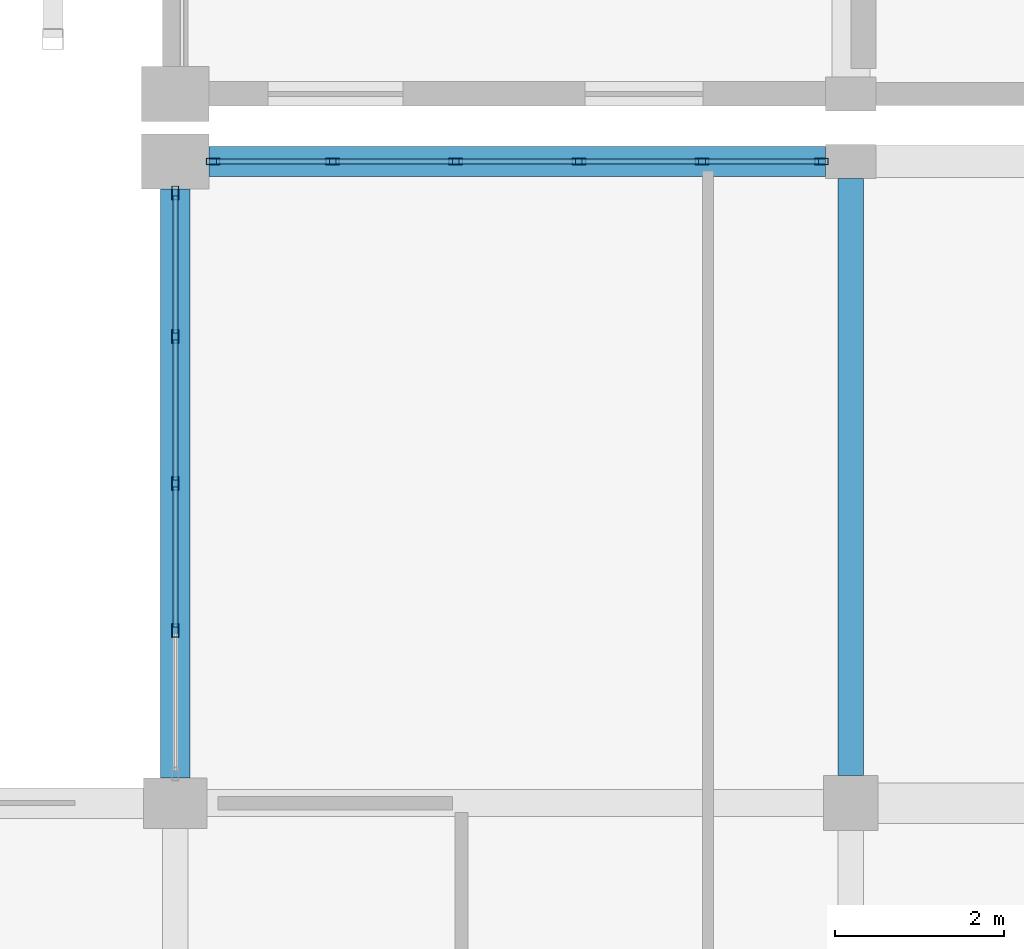
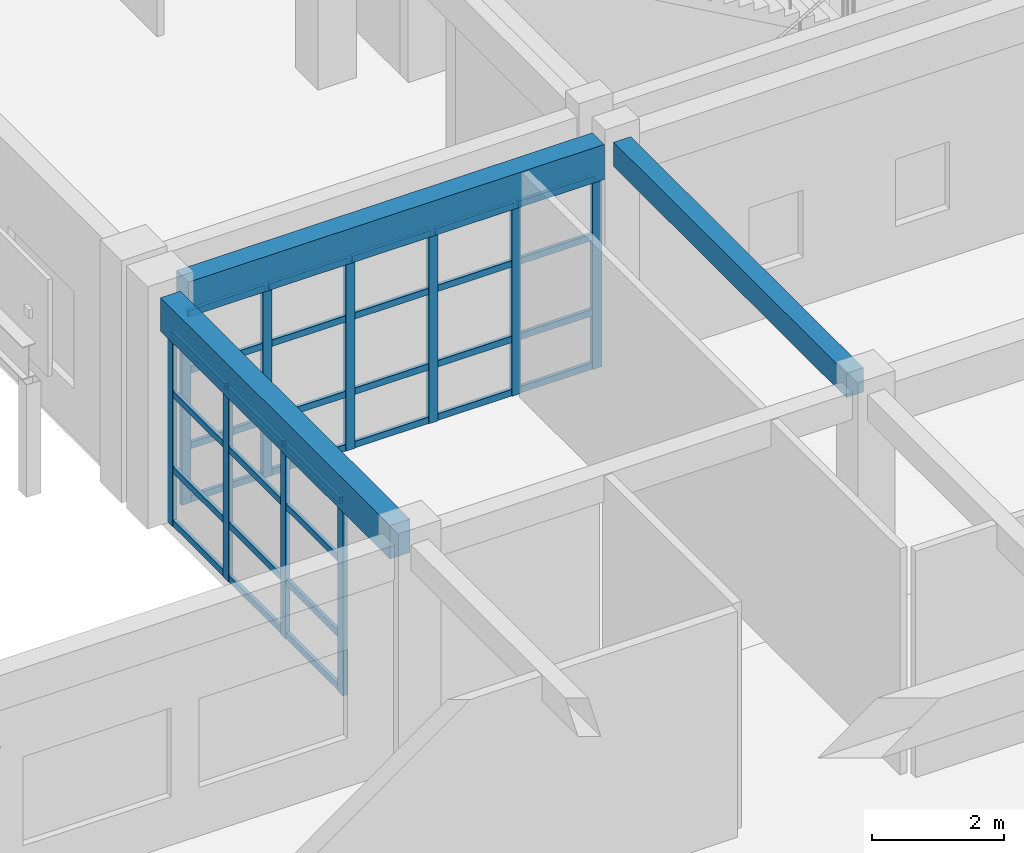
# One storey, part 50 of 160: 42 members, 3 beams, 2 elements without a shape of their own.
"""IFC4 building model written with IfcOpenShell, lengths in metres."""

import ifcopenshell
import ifcopenshell.guid

model = None  # the IFC model being written
_history = None  # IfcOwnerHistory: only IFC2X3 demands one
_inside = {}  # id of a spatial element -> (the spatial element, [elements in it])
_under = {}  # id of a project, library or spatial element -> (it, [spatial elements below it])
_declared = {}  # id of a project -> (the project, [libraries it declares])
_typed = {}  # id of a type object -> (the type object, [elements of that type])
_made_of = {}  # id of a material, layer set ... -> (it, [elements and type objects made of it])


def new_model(schema):
    """Start an empty IFC model of exactly this schema.

    Asked for "IFC4X3", IfcOpenShell would pick the latest addendum, in which some entities
    have other attributes; the version numbers below select the first issue.
    IFC2X3 requires an IfcOwnerHistory on every rooted entity: one is made here for all.
    """
    global model, _history
    if schema == "IFC4X3":
        model = ifcopenshell.file(schema_version=(4, 3, 0, 0))
    else:
        model = ifcopenshell.file(schema=schema)
    _inside.clear()
    _under.clear()
    _declared.clear()
    _typed.clear()
    _made_of.clear()
    _history = None
    if model.schema == "IFC2X3":
        org = make("IfcOrganization", Name="unknown")
        user = make(
            "IfcPersonAndOrganization",
            ThePerson=make("IfcPerson", FamilyName="unknown"),
            TheOrganization=org,
        )
        app = make(
            "IfcApplication",
            ApplicationDeveloper=org,
            Version="unknown",
            ApplicationFullName="unknown",
            ApplicationIdentifier="unknown",
        )
        _history = make(
            "IfcOwnerHistory",
            OwningUser=user,
            OwningApplication=app,
            ChangeAction="ADDED",
            CreationDate=0,
        )
    return model


def make(cls, **values):
    """One entity of the class cls with the attributes given. An attribute that is None is left unset."""
    return model.create_entity(
        cls, **{name: value for name, value in values.items() if value is not None}
    )


def rooted(cls, **values):
    """An entity with a GlobalId (a new one), such as an element, a storey or a relation."""
    return make(cls, GlobalId=ifcopenshell.guid.new(), OwnerHistory=_history, **values)


def si_unit(unit_type, name, prefix=None):
    """IfcSIUnit, for example si_unit("LENGTHUNIT", "METRE", prefix="MILLI")."""
    return make("IfcSIUnit", UnitType=unit_type, Prefix=prefix, Name=name)


def assignment(units):
    """IfcUnitAssignment: the units of a project."""
    return None if units is None else make("IfcUnitAssignment", Units=units)


def point(xyz):
    """IfcCartesianPoint."""
    return None if xyz is None else make("IfcCartesianPoint", Coordinates=xyz)


def direction(xyz):
    """IfcDirection."""
    return None if xyz is None else make("IfcDirection", DirectionRatios=xyz)


def frame(location, z_axis=None, x_axis=None):
    """IfcAxis2Placement3D, a coordinate frame: its origin and axes. An axis left out is left unset."""
    return make(
        "IfcAxis2Placement3D",
        Location=point(location),
        Axis=direction(z_axis),
        RefDirection=direction(x_axis),
    )


def frame_2d(location, x_axis=None):
    """IfcAxis2Placement2D, a coordinate frame in the plane: its origin and x axis."""
    return make(
        "IfcAxis2Placement2D", Location=point(location), RefDirection=direction(x_axis)
    )


def origin():
    """The frame at (0, 0, 0) with its axes left unset."""
    return frame((0.0, 0.0, 0.0))


def origin_2d():
    """The frame at (0, 0) in the plane with its x axis left unset."""
    return frame_2d((0.0, 0.0))


def place(relative_to, where):
    """IfcLocalPlacement: puts the frame where relative to a parent placement (None: the world)."""
    return make(
        "IfcLocalPlacement", PlacementRelTo=relative_to, RelativePlacement=where
    )


def context(
    kind, dimensions, precision=None, world=None, true_north=None, identifier=None
):
    """IfcGeometricRepresentationContext, for example the 3D "Model" context."""
    return make(
        "IfcGeometricRepresentationContext",
        ContextIdentifier=identifier,
        ContextType=kind,
        CoordinateSpaceDimension=dimensions,
        Precision=precision,
        WorldCoordinateSystem=world,
        TrueNorth=true_north,
    )


def subcontext(parent, identifier, kind, view, scale=None):
    """IfcGeometricRepresentationSubContext, for example "Body" below "Model"."""
    return make(
        "IfcGeometricRepresentationSubContext",
        ContextIdentifier=identifier,
        ContextType=kind,
        ParentContext=parent,
        TargetScale=scale,
        TargetView=view,
    )


def project(units=None, contexts=None):
    """IfcProject with its units and contexts."""
    return rooted(
        "IfcProject",
        Name="project",
        RepresentationContexts=contexts,
        UnitsInContext=assignment(units),
    )


def spatial(cls, under=None, at=None, **own):
    """A site, building, storey or space (cls), placed at a placement, below another one or the project."""
    s = rooted(cls, ObjectPlacement=at, **own)
    if under is not None:
        _under.setdefault(under.id(), (under, []))[1].append(s)
    return s


def profile(cls, at=None, kind="AREA", **sizes):
    """A parametric profile (cls). Its sizes go by their IFC names, for example OverallWidth=200.0."""
    return make(cls, ProfileType=kind, Position=at, **sizes)


def rectangle(**sizes):
    """IfcRectangleProfileDef."""
    return profile("IfcRectangleProfileDef", **sizes)


def hollow_rectangle(**sizes):
    """IfcRectangleHollowProfileDef."""
    return profile("IfcRectangleHollowProfileDef", **sizes)


def extrude(swept, where, along, depth):
    """IfcExtrudedAreaSolid: the profile swept, set in the frame where, extruded along a direction by depth."""
    return make(
        "IfcExtrudedAreaSolid",
        SweptArea=swept,
        Position=where,
        ExtrudedDirection=direction(along),
        Depth=depth,
    )


def shape(context_of_items, identifier, shape_type, items):
    """IfcShapeRepresentation: the items that make up one representation, for example the "Body"."""
    return make(
        "IfcShapeRepresentation",
        ContextOfItems=context_of_items,
        RepresentationIdentifier=identifier,
        RepresentationType=shape_type,
        Items=items,
    )


def material(Name=None, Category=None):
    """IfcMaterial."""
    return make("IfcMaterial", Name=Name, Category=Category)


def material_profile(
    of_material, cross_section, Name=None, Category=None, Priority=None
):
    """IfcMaterialProfile: a cross section and its material."""
    return make(
        "IfcMaterialProfile",
        Name=Name,
        Material=of_material,
        Profile=cross_section,
        Priority=Priority,
        Category=Category,
    )


def profile_set(profiles, Name=None, composite=None):
    """IfcMaterialProfileSet."""
    return make(
        "IfcMaterialProfileSet",
        Name=Name,
        MaterialProfiles=profiles,
        CompositeProfile=composite,
    )


def made_of(thing, what):
    """Note that an element or type object is made of a material, layer set ...; save() writes the relation."""
    if what is not None:
        _made_of.setdefault(what.id(), (what, []))[1].append(thing)
    return thing


def type_object(cls, material=None, **own):
    """A type object (cls), such as IfcWallType, which elements share."""
    return made_of(rooted(cls, **own), material)


def element(
    cls,
    number,
    at=None,
    inside=None,
    cuts=None,
    type_object=None,
    material=None,
    context=None,
    identifier="Body",
    shape_type=None,
    held_by="IfcProductDefinitionShape",
    body=None,
    shapes=None,
    **own,
):
    """One element of the class cls, such as IfcWall. Its Tag is "e" and its number.

    at: its placement. inside: the storey or other place that contains it. cuts: it is an
    opening in that element (IfcRelVoidsElement). A single representation is given by context,
    identifier, shape_type and body (its items); several are given by shapes. held_by: the class
    of the entity that holds the representations. save() writes the other relations.
    """
    e = rooted(cls, Tag="e%d" % number, ObjectPlacement=at, **own)
    if body is not None:
        shapes = [shape(context, identifier, shape_type, body)]
    if shapes is not None:
        e.Representation = make(held_by, Representations=shapes)
    if inside is not None:
        _inside.setdefault(inside.id(), (inside, []))[1].append(e)
    if cuts is not None:
        rooted(
            "IfcRelVoidsElement", RelatingBuildingElement=cuts, RelatedOpeningElement=e
        )
    if type_object is not None:
        _typed.setdefault(type_object.id(), (type_object, []))[1].append(e)
    return made_of(e, material)


def aggregate(whole, parts):
    """IfcRelAggregates: a whole, such as a stair, and the parts it consists of."""
    return rooted("IfcRelAggregates", RelatingObject=whole, RelatedObjects=parts)


def save(model, path):
    """Write the relations noted so far, then the file.

    IfcRelAggregates (storeys below a building ...), IfcRelContainedInSpatialStructure (elements
    in a storey), IfcRelDefinesByType, IfcRelAssociatesMaterial and IfcRelDeclares: one each for
    every whole, place, type object, material and project.
    """
    for whole, parts in _under.values():
        aggregate(whole, parts)
    for where, things in _inside.values():
        rooted(
            "IfcRelContainedInSpatialStructure",
            RelatedElements=things,
            RelatingStructure=where,
        )
    for kind, things in _typed.values():
        rooted("IfcRelDefinesByType", RelatedObjects=things, RelatingType=kind)
    for what, things in _made_of.values():
        rooted("IfcRelAssociatesMaterial", RelatedObjects=things, RelatingMaterial=what)
    for by, libraries in _declared.values():
        rooted("IfcRelDeclares", RelatingContext=by, RelatedDefinitions=libraries)
    model.write(path)


model = new_model("IFC4")

# Units and contexts
model_context = context("Model", 3, precision=1e-05, world=origin(), true_north=direction((0.0, 1.0)))
body_context = subcontext(model_context, "Body", "Model", "MODEL_VIEW")
ifc_project = project(units=[si_unit("LENGTHUNIT", "METRE"), si_unit("AREAUNIT", "SQUARE_METRE"), si_unit("VOLUMEUNIT", "CUBIC_METRE"), si_unit("PLANEANGLEUNIT", "RADIAN"), si_unit("MASSUNIT", "GRAM", prefix="KILO")], contexts=[model_context])

# Site, building, storey
site_placement = place(None, origin())
site = spatial("IfcSite", under=ifc_project, at=site_placement, CompositionType="ELEMENT")
building_placement = place(site_placement, origin())
building = spatial("IfcBuilding", under=site, at=building_placement, Name="Kharva Crest Polytechnic", CompositionType="ELEMENT")
storey_placement = place(building_placement, frame((0.0, 0.0, 4.5)))
storey = spatial("IfcBuildingStorey", under=building, at=storey_placement, Name="L01", CompositionType="ELEMENT", Elevation=4.5)

# Beam
ifc_material_1 = material(Name="Concrete C35/45", Category="concrete")
ifc_material_profile_1 = material_profile(ifc_material_1, rectangle(XDim=0.300048828125, YDim=0.449951171875, at=origin_2d()), Name="RECT 300 X 450")
ifc_profile_set_1 = profile_set([ifc_material_profile_1], Name="Concrete C35/45")
beam_type_1 = type_object("IfcBeamType", Name="BM-RC-300X450", PredefinedType="BEAM", material=ifc_profile_set_1)
beam_1_placement = place(storey_placement, frame((40.0, 30.72509765625, 3.9951171875), z_axis=(0.0, 1.0, 0.0), x_axis=(-1.0, 0.0, 0.0)))
element("IfcBeam", 1, at=beam_1_placement, inside=storey, type_object=beam_type_1, Name="L01 Girder 6/E-F", PredefinedType="BEAM", context=body_context, shape_type="SweptSolid", body=[
    extrude(rectangle(XDim=0.300048828125, YDim=0.449951171875, at=origin_2d()), origin(), (0.0, 0.0, 1.0), 7.074951171875),
])

# Curtain wall, members
ifc_material_2 = material(Name="Tempered insulated glass", Category="glass")
curtain_wall_type = type_object("IfcCurtainWallType", Name="CW-SYS-COURT", PredefinedType="USERDEFINED", material=ifc_material_2)
curtain_wall_1_placement = place(storey_placement, origin())
curtain_wall_1 = element("IfcCurtainWall", 2, at=curtain_wall_1_placement, inside=storey, type_object=curtain_wall_type, Name="L01 Glazed Curtain Wall CW-036", ObjectType="CURTAIN WALL", PredefinedType="USERDEFINED")
ifc_material_3 = material(Name="Steel S355", Category="steel")
ifc_material_profile_2 = material_profile(ifc_material_3, hollow_rectangle(XDim=0.080078125, YDim=0.159912109375, WallThickness=0.0048828125, at=origin_2d()), Name="RHS 160X80X5.0")
ifc_profile_set_2 = profile_set([ifc_material_profile_2], Name="Steel S355")
member_type_1 = type_object("IfcMemberType", Name="CWM-RHS160X80", PredefinedType="MULLION", material=ifc_profile_set_2)
member_1_placement = place(storey_placement, frame((39.655029296875, 38.0, 0.0), z_axis=(0.0, 0.0, 1.0), x_axis=(0.0, -1.0, 0.0)))
member_1 = element("IfcMember", 3, at=member_1_placement, type_object=member_type_1, Name="CW-036 mullion 1", PredefinedType="MULLION", context=body_context, shape_type="SweptSolid", body=[
    extrude(hollow_rectangle(XDim=0.080078125, YDim=0.159912109375, WallThickness=0.0048828125, at=origin_2d()), origin(), (0.0, 0.0, 1.0), 3.570068359375),
])
member_2_placement = place(storey_placement, frame((38.237060546875, 38.0, 0.0), z_axis=(0.0, 0.0, 1.0), x_axis=(0.0, -1.0, 0.0)))
member_2 = element("IfcMember", 4, at=member_2_placement, type_object=member_type_1, Name="CW-036 mullion 2", PredefinedType="MULLION", context=body_context, shape_type="SweptSolid", body=[
    extrude(hollow_rectangle(XDim=0.080078125, YDim=0.159912109375, WallThickness=0.0048828125, at=origin_2d()), origin(), (0.0, 0.0, 1.0), 3.570068359375),
])
member_3_placement = place(storey_placement, frame((36.779052734375, 38.0, 0.0), z_axis=(0.0, 0.0, 1.0), x_axis=(0.0, -1.0, 0.0)))
member_3 = element("IfcMember", 5, at=member_3_placement, type_object=member_type_1, Name="CW-036 mullion 3", PredefinedType="MULLION", context=body_context, shape_type="SweptSolid", body=[
    extrude(hollow_rectangle(XDim=0.080078125, YDim=0.159912109375, WallThickness=0.0048828125, at=origin_2d()), origin(), (0.0, 0.0, 1.0), 3.570068359375),
])
member_4_placement = place(storey_placement, frame((35.321044921875, 38.0, 0.0), z_axis=(0.0, 0.0, 1.0), x_axis=(0.0, -1.0, 0.0)))
member_4 = element("IfcMember", 6, at=member_4_placement, type_object=member_type_1, Name="CW-036 mullion 4", PredefinedType="MULLION", context=body_context, shape_type="SweptSolid", body=[
    extrude(hollow_rectangle(XDim=0.080078125, YDim=0.159912109375, WallThickness=0.0048828125, at=origin_2d()), origin(), (0.0, 0.0, 1.0), 3.570068359375),
])
member_5_placement = place(storey_placement, frame((33.863037109375, 38.0, 0.0), z_axis=(0.0, 0.0, 1.0), x_axis=(0.0, -1.0, 0.0)))
member_5 = element("IfcMember", 7, at=member_5_placement, type_object=member_type_1, Name="CW-036 mullion 5", PredefinedType="MULLION", context=body_context, shape_type="SweptSolid", body=[
    extrude(hollow_rectangle(XDim=0.080078125, YDim=0.159912109375, WallThickness=0.0048828125, at=origin_2d()), origin(), (0.0, 0.0, 1.0), 3.570068359375),
])
member_6_placement = place(storey_placement, frame((32.445068359375, 38.0, 0.0), z_axis=(0.0, 0.0, 1.0), x_axis=(0.0, -1.0, 0.0)))
member_6 = element("IfcMember", 8, at=member_6_placement, type_object=member_type_1, Name="CW-036 mullion 6", PredefinedType="MULLION", context=body_context, shape_type="SweptSolid", body=[
    extrude(hollow_rectangle(XDim=0.080078125, YDim=0.159912109375, WallThickness=0.0048828125, at=origin_2d()), origin(), (0.0, 0.0, 1.0), 3.570068359375),
])

curtain_wall_2_placement = place(storey_placement, origin())
curtain_wall_2 = element("IfcCurtainWall", 9, at=curtain_wall_2_placement, inside=storey, type_object=curtain_wall_type, Name="L01 Glazed Curtain Wall CW-037", ObjectType="CURTAIN WALL", PredefinedType="USERDEFINED")
member_7_placement = place(storey_placement, frame((32.0, 37.6298828125, 0.0), z_axis=(0.0, 0.0, 1.0), x_axis=(1.0, 0.0, 0.0)))
member_7 = element("IfcMember", 10, at=member_7_placement, type_object=member_type_1, Name="CW-037 mullion 1", PredefinedType="MULLION", context=body_context, shape_type="SweptSolid", body=[
    extrude(hollow_rectangle(XDim=0.080078125, YDim=0.159912109375, WallThickness=0.0048828125, at=origin_2d()), origin(), (0.0, 0.0, 1.0), 3.60009765625),
])
member_8_placement = place(storey_placement, frame((32.0, 35.9287109375, 0.0), z_axis=(0.0, 0.0, 1.0), x_axis=(1.0, 0.0, 0.0)))
member_8 = element("IfcMember", 11, at=member_8_placement, type_object=member_type_1, Name="CW-037 mullion 2", PredefinedType="MULLION", context=body_context, shape_type="SweptSolid", body=[
    extrude(hollow_rectangle(XDim=0.080078125, YDim=0.159912109375, WallThickness=0.0048828125, at=origin_2d()), origin(), (0.0, 0.0, 1.0), 3.60009765625),
])
member_9_placement = place(storey_placement, frame((32.0, 34.1875, 0.0), z_axis=(0.0, 0.0, 1.0), x_axis=(1.0, 0.0, 0.0)))
member_9 = element("IfcMember", 12, at=member_9_placement, type_object=member_type_1, Name="CW-037 mullion 3", PredefinedType="MULLION", context=body_context, shape_type="SweptSolid", body=[
    extrude(hollow_rectangle(XDim=0.080078125, YDim=0.159912109375, WallThickness=0.0048828125, at=origin_2d()), origin(), (0.0, 0.0, 1.0), 3.60009765625),
])
member_10_placement = place(storey_placement, frame((32.0, 32.4462890625, 0.0), z_axis=(0.0, 0.0, 1.0), x_axis=(1.0, 0.0, 0.0)))
member_10 = element("IfcMember", 13, at=member_10_placement, type_object=member_type_1, Name="CW-037 mullion 4", PredefinedType="MULLION", context=body_context, shape_type="SweptSolid", body=[
    extrude(hollow_rectangle(XDim=0.080078125, YDim=0.159912109375, WallThickness=0.0048828125, at=origin_2d()), origin(), (0.0, 0.0, 1.0), 3.60009765625),
])

# Member
ifc_material_profile_3 = material_profile(ifc_material_3, hollow_rectangle(XDim=0.06005859375, YDim=0.1201171875, WallThickness=0.00390625, at=origin_2d()), Name="RHS 120X60X4.0")
ifc_profile_set_3 = profile_set([ifc_material_profile_3], Name="Steel S355")
member_type_2 = type_object("IfcMemberType", Name="CWT-RHS120X60", PredefinedType="USERDEFINED", material=ifc_profile_set_3)
member_11_placement = place(storey_placement, frame((39.614990234375, 38.0, 0.06005859375), z_axis=(-1.0, 0.0, 0.0), x_axis=(0.0, -1.0, 0.0)))
member_11 = element("IfcMember", 14, at=member_11_placement, type_object=member_type_2, Name="CW-036 transom 1.1", ObjectType="TRANSOM", PredefinedType="USERDEFINED", context=body_context, shape_type="SweptSolid", body=[
    extrude(hollow_rectangle(XDim=0.06005859375, YDim=0.1201171875, WallThickness=0.00390625, at=origin_2d()), origin(), (0.0, 0.0, 1.0), 1.337890625),
])

member_12_placement = place(storey_placement, frame((39.614990234375, 38.0, 1.050048828125), z_axis=(-1.0, 0.0, 0.0), x_axis=(0.0, -1.0, 0.0)))
member_12 = element("IfcMember", 15, at=member_12_placement, type_object=member_type_2, Name="CW-036 transom 1.2", ObjectType="TRANSOM", PredefinedType="USERDEFINED", context=body_context, shape_type="SweptSolid", body=[
    extrude(hollow_rectangle(XDim=0.06005859375, YDim=0.1201171875, WallThickness=0.00390625, at=origin_2d()), origin(), (0.0, 0.0, 1.0), 1.337890625),
])

member_13_placement = place(storey_placement, frame((39.614990234375, 38.0, 2.449951171875), z_axis=(-1.0, 0.0, 0.0), x_axis=(0.0, -1.0, 0.0)))
member_13 = element("IfcMember", 16, at=member_13_placement, type_object=member_type_2, Name="CW-036 transom 1.3", ObjectType="TRANSOM", PredefinedType="USERDEFINED", context=body_context, shape_type="SweptSolid", body=[
    extrude(hollow_rectangle(XDim=0.06005859375, YDim=0.1201171875, WallThickness=0.00390625, at=origin_2d()), origin(), (0.0, 0.0, 1.0), 1.337890625),
])

member_14_placement = place(storey_placement, frame((39.614990234375, 38.0, 3.510009765625), z_axis=(-1.0, 0.0, 0.0), x_axis=(0.0, -1.0, 0.0)))
member_14 = element("IfcMember", 17, at=member_14_placement, type_object=member_type_2, Name="CW-036 transom 1.4", ObjectType="TRANSOM", PredefinedType="USERDEFINED", context=body_context, shape_type="SweptSolid", body=[
    extrude(hollow_rectangle(XDim=0.06005859375, YDim=0.1201171875, WallThickness=0.00390625, at=origin_2d()), origin(), (0.0, 0.0, 1.0), 1.337890625),
])

member_15_placement = place(storey_placement, frame((38.197021484375, 38.0, 0.06005859375), z_axis=(-1.0, 0.0, 0.0), x_axis=(0.0, -1.0, 0.0)))
member_15 = element("IfcMember", 18, at=member_15_placement, type_object=member_type_2, Name="CW-036 transom 2.1", ObjectType="TRANSOM", PredefinedType="USERDEFINED", context=body_context, shape_type="SweptSolid", body=[
    extrude(hollow_rectangle(XDim=0.06005859375, YDim=0.1201171875, WallThickness=0.00390625, at=origin_2d()), origin(), (0.0, 0.0, 1.0), 1.3779296875),
])

member_16_placement = place(storey_placement, frame((38.197021484375, 38.0, 1.050048828125), z_axis=(-1.0, 0.0, 0.0), x_axis=(0.0, -1.0, 0.0)))
member_16 = element("IfcMember", 19, at=member_16_placement, type_object=member_type_2, Name="CW-036 transom 2.2", ObjectType="TRANSOM", PredefinedType="USERDEFINED", context=body_context, shape_type="SweptSolid", body=[
    extrude(hollow_rectangle(XDim=0.06005859375, YDim=0.1201171875, WallThickness=0.00390625, at=origin_2d()), origin(), (0.0, 0.0, 1.0), 1.3779296875),
])

member_17_placement = place(storey_placement, frame((38.197021484375, 38.0, 2.449951171875), z_axis=(-1.0, 0.0, 0.0), x_axis=(0.0, -1.0, 0.0)))
member_17 = element("IfcMember", 20, at=member_17_placement, type_object=member_type_2, Name="CW-036 transom 2.3", ObjectType="TRANSOM", PredefinedType="USERDEFINED", context=body_context, shape_type="SweptSolid", body=[
    extrude(hollow_rectangle(XDim=0.06005859375, YDim=0.1201171875, WallThickness=0.00390625, at=origin_2d()), origin(), (0.0, 0.0, 1.0), 1.3779296875),
])

member_18_placement = place(storey_placement, frame((38.197021484375, 38.0, 3.510009765625), z_axis=(-1.0, 0.0, 0.0), x_axis=(0.0, -1.0, 0.0)))
member_18 = element("IfcMember", 21, at=member_18_placement, type_object=member_type_2, Name="CW-036 transom 2.4", ObjectType="TRANSOM", PredefinedType="USERDEFINED", context=body_context, shape_type="SweptSolid", body=[
    extrude(hollow_rectangle(XDim=0.06005859375, YDim=0.1201171875, WallThickness=0.00390625, at=origin_2d()), origin(), (0.0, 0.0, 1.0), 1.3779296875),
])

member_19_placement = place(storey_placement, frame((36.739013671875, 38.0, 0.06005859375), z_axis=(-1.0, 0.0, 0.0), x_axis=(0.0, -1.0, 0.0)))
member_19 = element("IfcMember", 22, at=member_19_placement, type_object=member_type_2, Name="CW-036 transom 3.1", ObjectType="TRANSOM", PredefinedType="USERDEFINED", context=body_context, shape_type="SweptSolid", body=[
    extrude(hollow_rectangle(XDim=0.06005859375, YDim=0.1201171875, WallThickness=0.00390625, at=origin_2d()), origin(), (0.0, 0.0, 1.0), 1.3779296875),
])

member_20_placement = place(storey_placement, frame((36.739013671875, 38.0, 1.050048828125), z_axis=(-1.0, 0.0, 0.0), x_axis=(0.0, -1.0, 0.0)))
member_20 = element("IfcMember", 23, at=member_20_placement, type_object=member_type_2, Name="CW-036 transom 3.2", ObjectType="TRANSOM", PredefinedType="USERDEFINED", context=body_context, shape_type="SweptSolid", body=[
    extrude(hollow_rectangle(XDim=0.06005859375, YDim=0.1201171875, WallThickness=0.00390625, at=origin_2d()), origin(), (0.0, 0.0, 1.0), 1.3779296875),
])

member_21_placement = place(storey_placement, frame((36.739013671875, 38.0, 2.449951171875), z_axis=(-1.0, 0.0, 0.0), x_axis=(0.0, -1.0, 0.0)))
member_21 = element("IfcMember", 24, at=member_21_placement, type_object=member_type_2, Name="CW-036 transom 3.3", ObjectType="TRANSOM", PredefinedType="USERDEFINED", context=body_context, shape_type="SweptSolid", body=[
    extrude(hollow_rectangle(XDim=0.06005859375, YDim=0.1201171875, WallThickness=0.00390625, at=origin_2d()), origin(), (0.0, 0.0, 1.0), 1.3779296875),
])

member_22_placement = place(storey_placement, frame((36.739013671875, 38.0, 3.510009765625), z_axis=(-1.0, 0.0, 0.0), x_axis=(0.0, -1.0, 0.0)))
member_22 = element("IfcMember", 25, at=member_22_placement, type_object=member_type_2, Name="CW-036 transom 3.4", ObjectType="TRANSOM", PredefinedType="USERDEFINED", context=body_context, shape_type="SweptSolid", body=[
    extrude(hollow_rectangle(XDim=0.06005859375, YDim=0.1201171875, WallThickness=0.00390625, at=origin_2d()), origin(), (0.0, 0.0, 1.0), 1.3779296875),
])

member_23_placement = place(storey_placement, frame((35.281005859375, 38.0, 0.06005859375), z_axis=(-1.0, 0.0, 0.0), x_axis=(0.0, -1.0, 0.0)))
member_23 = element("IfcMember", 26, at=member_23_placement, type_object=member_type_2, Name="CW-036 transom 4.1", ObjectType="TRANSOM", PredefinedType="USERDEFINED", context=body_context, shape_type="SweptSolid", body=[
    extrude(hollow_rectangle(XDim=0.06005859375, YDim=0.1201171875, WallThickness=0.00390625, at=origin_2d()), origin(), (0.0, 0.0, 1.0), 1.3779296875),
])

member_24_placement = place(storey_placement, frame((35.281005859375, 38.0, 1.050048828125), z_axis=(-1.0, 0.0, 0.0), x_axis=(0.0, -1.0, 0.0)))
member_24 = element("IfcMember", 27, at=member_24_placement, type_object=member_type_2, Name="CW-036 transom 4.2", ObjectType="TRANSOM", PredefinedType="USERDEFINED", context=body_context, shape_type="SweptSolid", body=[
    extrude(hollow_rectangle(XDim=0.06005859375, YDim=0.1201171875, WallThickness=0.00390625, at=origin_2d()), origin(), (0.0, 0.0, 1.0), 1.3779296875),
])

member_25_placement = place(storey_placement, frame((35.281005859375, 38.0, 2.449951171875), z_axis=(-1.0, 0.0, 0.0), x_axis=(0.0, -1.0, 0.0)))
member_25 = element("IfcMember", 28, at=member_25_placement, type_object=member_type_2, Name="CW-036 transom 4.3", ObjectType="TRANSOM", PredefinedType="USERDEFINED", context=body_context, shape_type="SweptSolid", body=[
    extrude(hollow_rectangle(XDim=0.06005859375, YDim=0.1201171875, WallThickness=0.00390625, at=origin_2d()), origin(), (0.0, 0.0, 1.0), 1.3779296875),
])

member_26_placement = place(storey_placement, frame((35.281005859375, 38.0, 3.510009765625), z_axis=(-1.0, 0.0, 0.0), x_axis=(0.0, -1.0, 0.0)))
member_26 = element("IfcMember", 29, at=member_26_placement, type_object=member_type_2, Name="CW-036 transom 4.4", ObjectType="TRANSOM", PredefinedType="USERDEFINED", context=body_context, shape_type="SweptSolid", body=[
    extrude(hollow_rectangle(XDim=0.06005859375, YDim=0.1201171875, WallThickness=0.00390625, at=origin_2d()), origin(), (0.0, 0.0, 1.0), 1.3779296875),
])

member_27_placement = place(storey_placement, frame((33.822998046875, 38.0, 0.06005859375), z_axis=(-1.0, 0.0, 0.0), x_axis=(0.0, -1.0, 0.0)))
member_27 = element("IfcMember", 30, at=member_27_placement, type_object=member_type_2, Name="CW-036 transom 5.1", ObjectType="TRANSOM", PredefinedType="USERDEFINED", context=body_context, shape_type="SweptSolid", body=[
    extrude(hollow_rectangle(XDim=0.06005859375, YDim=0.1201171875, WallThickness=0.00390625, at=origin_2d()), origin(), (0.0, 0.0, 1.0), 1.337890625),
])

member_28_placement = place(storey_placement, frame((33.822998046875, 38.0, 1.050048828125), z_axis=(-1.0, 0.0, 0.0), x_axis=(0.0, -1.0, 0.0)))
member_28 = element("IfcMember", 31, at=member_28_placement, type_object=member_type_2, Name="CW-036 transom 5.2", ObjectType="TRANSOM", PredefinedType="USERDEFINED", context=body_context, shape_type="SweptSolid", body=[
    extrude(hollow_rectangle(XDim=0.06005859375, YDim=0.1201171875, WallThickness=0.00390625, at=origin_2d()), origin(), (0.0, 0.0, 1.0), 1.337890625),
])

member_29_placement = place(storey_placement, frame((33.822998046875, 38.0, 2.449951171875), z_axis=(-1.0, 0.0, 0.0), x_axis=(0.0, -1.0, 0.0)))
member_29 = element("IfcMember", 32, at=member_29_placement, type_object=member_type_2, Name="CW-036 transom 5.3", ObjectType="TRANSOM", PredefinedType="USERDEFINED", context=body_context, shape_type="SweptSolid", body=[
    extrude(hollow_rectangle(XDim=0.06005859375, YDim=0.1201171875, WallThickness=0.00390625, at=origin_2d()), origin(), (0.0, 0.0, 1.0), 1.337890625),
])

member_30_placement = place(storey_placement, frame((33.822998046875, 38.0, 3.510009765625), z_axis=(-1.0, 0.0, 0.0), x_axis=(0.0, -1.0, 0.0)))
member_30 = element("IfcMember", 33, at=member_30_placement, type_object=member_type_2, Name="CW-036 transom 5.4", ObjectType="TRANSOM", PredefinedType="USERDEFINED", context=body_context, shape_type="SweptSolid", body=[
    extrude(hollow_rectangle(XDim=0.06005859375, YDim=0.1201171875, WallThickness=0.00390625, at=origin_2d()), origin(), (0.0, 0.0, 1.0), 1.337890625),
])

aggregate(curtain_wall_1, [member_1, member_2, member_3, member_4, member_5, member_6, member_11, member_12, member_13, member_14, member_15, member_16, member_17, member_18, member_19, member_20, member_21, member_22, member_23, member_24, member_25, member_26, member_27, member_28, member_29, member_30])

member_31_placement = place(storey_placement, frame((32.0, 37.590087890625, 0.06005859375), z_axis=(0.0, -1.0, 0.0), x_axis=(1.0, 0.0, 0.0)))
member_31 = element("IfcMember", 34, at=member_31_placement, type_object=member_type_2, Name="CW-037 transom 1.1", ObjectType="TRANSOM", PredefinedType="USERDEFINED", context=body_context, shape_type="SweptSolid", body=[
    extrude(hollow_rectangle(XDim=0.06005859375, YDim=0.1201171875, WallThickness=0.00390625, at=origin_2d()), origin(), (0.0, 0.0, 1.0), 1.621337890625),
])

member_32_placement = place(storey_placement, frame((32.0, 37.590087890625, 1.050048828125), z_axis=(0.0, -1.0, 0.0), x_axis=(1.0, 0.0, 0.0)))
member_32 = element("IfcMember", 35, at=member_32_placement, type_object=member_type_2, Name="CW-037 transom 1.2", ObjectType="TRANSOM", PredefinedType="USERDEFINED", context=body_context, shape_type="SweptSolid", body=[
    extrude(hollow_rectangle(XDim=0.06005859375, YDim=0.1201171875, WallThickness=0.00390625, at=origin_2d()), origin(), (0.0, 0.0, 1.0), 1.621337890625),
])

member_33_placement = place(storey_placement, frame((32.0, 37.590087890625, 2.449951171875), z_axis=(0.0, -1.0, 0.0), x_axis=(1.0, 0.0, 0.0)))
member_33 = element("IfcMember", 36, at=member_33_placement, type_object=member_type_2, Name="CW-037 transom 1.3", ObjectType="TRANSOM", PredefinedType="USERDEFINED", context=body_context, shape_type="SweptSolid", body=[
    extrude(hollow_rectangle(XDim=0.06005859375, YDim=0.1201171875, WallThickness=0.00390625, at=origin_2d()), origin(), (0.0, 0.0, 1.0), 1.621337890625),
])

member_34_placement = place(storey_placement, frame((32.0, 37.590087890625, 3.5400390625), z_axis=(0.0, -1.0, 0.0), x_axis=(1.0, 0.0, 0.0)))
member_34 = element("IfcMember", 37, at=member_34_placement, type_object=member_type_2, Name="CW-037 transom 1.4", ObjectType="TRANSOM", PredefinedType="USERDEFINED", context=body_context, shape_type="SweptSolid", body=[
    extrude(hollow_rectangle(XDim=0.06005859375, YDim=0.1201171875, WallThickness=0.00390625, at=origin_2d()), origin(), (0.0, 0.0, 1.0), 1.621337890625),
])

member_35_placement = place(storey_placement, frame((32.0, 35.888671875, 0.06005859375), z_axis=(0.0, -1.0, 0.0), x_axis=(1.0, 0.0, 0.0)))
member_35 = element("IfcMember", 38, at=member_35_placement, type_object=member_type_2, Name="CW-037 transom 2.1", ObjectType="TRANSOM", PredefinedType="USERDEFINED", context=body_context, shape_type="SweptSolid", body=[
    extrude(hollow_rectangle(XDim=0.06005859375, YDim=0.1201171875, WallThickness=0.00390625, at=origin_2d()), origin(), (0.0, 0.0, 1.0), 1.6611328125),
])

member_36_placement = place(storey_placement, frame((32.0, 35.888671875, 1.050048828125), z_axis=(0.0, -1.0, 0.0), x_axis=(1.0, 0.0, 0.0)))
member_36 = element("IfcMember", 39, at=member_36_placement, type_object=member_type_2, Name="CW-037 transom 2.2", ObjectType="TRANSOM", PredefinedType="USERDEFINED", context=body_context, shape_type="SweptSolid", body=[
    extrude(hollow_rectangle(XDim=0.06005859375, YDim=0.1201171875, WallThickness=0.00390625, at=origin_2d()), origin(), (0.0, 0.0, 1.0), 1.6611328125),
])

member_37_placement = place(storey_placement, frame((32.0, 35.888671875, 2.449951171875), z_axis=(0.0, -1.0, 0.0), x_axis=(1.0, 0.0, 0.0)))
member_37 = element("IfcMember", 40, at=member_37_placement, type_object=member_type_2, Name="CW-037 transom 2.3", ObjectType="TRANSOM", PredefinedType="USERDEFINED", context=body_context, shape_type="SweptSolid", body=[
    extrude(hollow_rectangle(XDim=0.06005859375, YDim=0.1201171875, WallThickness=0.00390625, at=origin_2d()), origin(), (0.0, 0.0, 1.0), 1.6611328125),
])

member_38_placement = place(storey_placement, frame((32.0, 35.888671875, 3.5400390625), z_axis=(0.0, -1.0, 0.0), x_axis=(1.0, 0.0, 0.0)))
member_38 = element("IfcMember", 41, at=member_38_placement, type_object=member_type_2, Name="CW-037 transom 2.4", ObjectType="TRANSOM", PredefinedType="USERDEFINED", context=body_context, shape_type="SweptSolid", body=[
    extrude(hollow_rectangle(XDim=0.06005859375, YDim=0.1201171875, WallThickness=0.00390625, at=origin_2d()), origin(), (0.0, 0.0, 1.0), 1.6611328125),
])

member_39_placement = place(storey_placement, frame((32.0, 34.1474609375, 0.06005859375), z_axis=(0.0, -1.0, 0.0), x_axis=(1.0, 0.0, 0.0)))
member_39 = element("IfcMember", 42, at=member_39_placement, type_object=member_type_2, Name="CW-037 transom 3.1", ObjectType="TRANSOM", PredefinedType="USERDEFINED", context=body_context, shape_type="SweptSolid", body=[
    extrude(hollow_rectangle(XDim=0.06005859375, YDim=0.1201171875, WallThickness=0.00390625, at=origin_2d()), origin(), (0.0, 0.0, 1.0), 1.6611328125),
])

member_40_placement = place(storey_placement, frame((32.0, 34.1474609375, 1.050048828125), z_axis=(0.0, -1.0, 0.0), x_axis=(1.0, 0.0, 0.0)))
member_40 = element("IfcMember", 43, at=member_40_placement, type_object=member_type_2, Name="CW-037 transom 3.2", ObjectType="TRANSOM", PredefinedType="USERDEFINED", context=body_context, shape_type="SweptSolid", body=[
    extrude(hollow_rectangle(XDim=0.06005859375, YDim=0.1201171875, WallThickness=0.00390625, at=origin_2d()), origin(), (0.0, 0.0, 1.0), 1.6611328125),
])

member_41_placement = place(storey_placement, frame((32.0, 34.1474609375, 2.449951171875), z_axis=(0.0, -1.0, 0.0), x_axis=(1.0, 0.0, 0.0)))
member_41 = element("IfcMember", 44, at=member_41_placement, type_object=member_type_2, Name="CW-037 transom 3.3", ObjectType="TRANSOM", PredefinedType="USERDEFINED", context=body_context, shape_type="SweptSolid", body=[
    extrude(hollow_rectangle(XDim=0.06005859375, YDim=0.1201171875, WallThickness=0.00390625, at=origin_2d()), origin(), (0.0, 0.0, 1.0), 1.6611328125),
])

member_42_placement = place(storey_placement, frame((32.0, 34.1474609375, 3.5400390625), z_axis=(0.0, -1.0, 0.0), x_axis=(1.0, 0.0, 0.0)))
member_42 = element("IfcMember", 45, at=member_42_placement, type_object=member_type_2, Name="CW-037 transom 3.4", ObjectType="TRANSOM", PredefinedType="USERDEFINED", context=body_context, shape_type="SweptSolid", body=[
    extrude(hollow_rectangle(XDim=0.06005859375, YDim=0.1201171875, WallThickness=0.00390625, at=origin_2d()), origin(), (0.0, 0.0, 1.0), 1.6611328125),
])

aggregate(curtain_wall_2, [member_7, member_8, member_9, member_10, member_31, member_32, member_33, member_34, member_35, member_36, member_37, member_38, member_39, member_40, member_41, member_42])

# Beams
ifc_material_profile_4 = material_profile(ifc_material_1, rectangle(XDim=0.35009765625, YDim=0.6201171875, at=origin_2d()), Name="RECT 350 X 620")
ifc_profile_set_4 = profile_set([ifc_material_profile_4], Name="Concrete C35/45")
beam_type_2 = type_object("IfcBeamType", Name="SP-RC-350X620", PredefinedType="SPANDREL", material=ifc_profile_set_4)
beam_2_placement = place(storey_placement, frame((32.0, 30.699951171875, 3.909912109375), z_axis=(0.0, 1.0, 0.0), x_axis=(-1.0, 0.0, 0.0)))
element("IfcBeam", 46, at=beam_2_placement, inside=storey, type_object=beam_type_2, Name="L01 Girder 5/E-F", PredefinedType="SPANDREL", context=body_context, shape_type="SweptSolid", body=[
    extrude(rectangle(XDim=0.35009765625, YDim=0.6201171875, at=origin_2d()), origin(), (0.0, 0.0, 1.0), 6.97509765625),
])
ifc_material_profile_5 = material_profile(ifc_material_1, rectangle(XDim=0.360107421875, YDim=0.64990234375, at=origin_2d()), Name="RECT 360 X 650")
ifc_profile_set_5 = profile_set([ifc_material_profile_5], Name="Concrete C35/45")
beam_type_3 = type_object("IfcBeamType", Name="SP-RC-360X650", PredefinedType="SPANDREL", material=ifc_profile_set_5)
beam_3_placement = place(storey_placement, frame((32.39990234375, 38.0, 3.89501953125), z_axis=(1.0, 0.0, 0.0), x_axis=(0.0, 1.0, 0.0)))
element("IfcBeam", 47, at=beam_3_placement, inside=storey, type_object=beam_type_3, Name="L01 Beam F/5-6", PredefinedType="SPANDREL", context=body_context, shape_type="SweptSolid", body=[
    extrude(rectangle(XDim=0.360107421875, YDim=0.64990234375, at=origin_2d()), origin(), (0.0, 0.0, 1.0), 7.300048828125),
])

save(model, "model.ifc")
